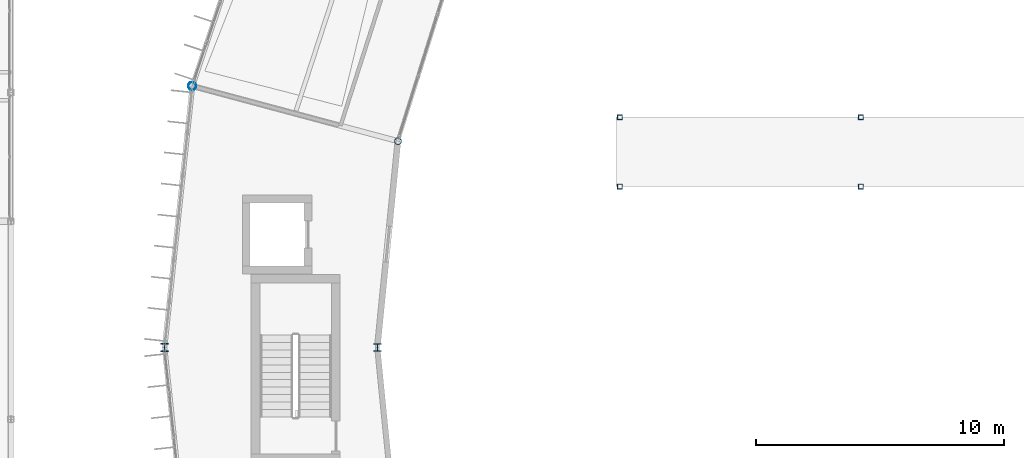
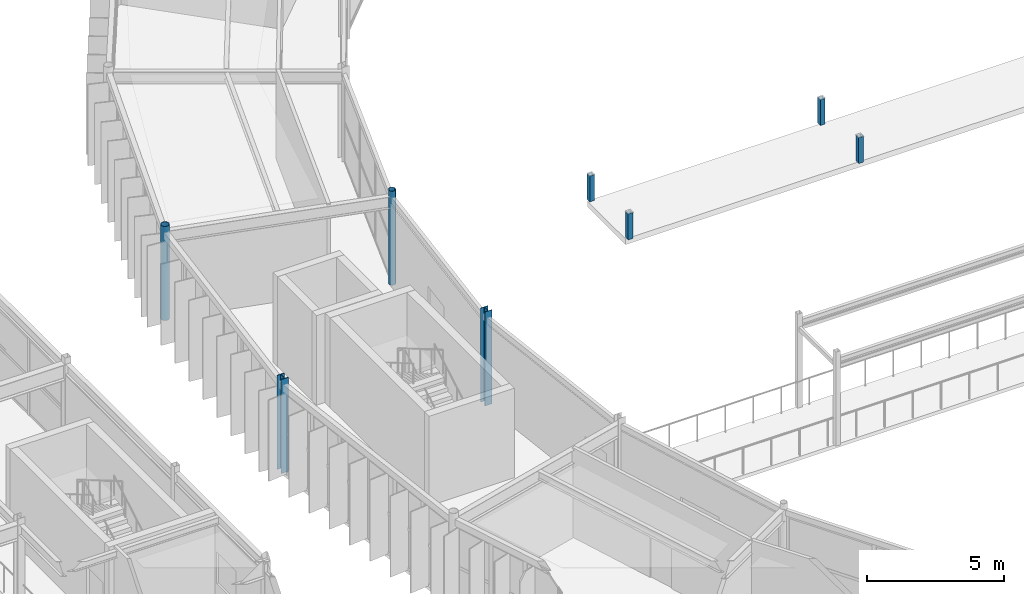
# One storey, part 6 of 147: 8 columns.
"""IFC4 building model written with IfcOpenShell, lengths in metres."""

from ifc_helpers import new_model, si_unit, direction, frame, origin, origin_2d, place, context, subcontext, project, spatial, hollow_rectangle, hollow_circle, i_section, extrude, material, material_profile, profile_set, type_object, element, save


model = new_model("IFC4")

# Units and contexts
model_context = context("Model", 3, precision=1e-05, world=origin(), true_north=direction((0.0, 1.0)))
body_context = subcontext(model_context, "Body", "Model", "MODEL_VIEW")
ifc_project = project(units=[si_unit("LENGTHUNIT", "METRE"), si_unit("AREAUNIT", "SQUARE_METRE"), si_unit("VOLUMEUNIT", "CUBIC_METRE"), si_unit("PLANEANGLEUNIT", "RADIAN"), si_unit("MASSUNIT", "GRAM", prefix="KILO")], contexts=[model_context])

# Site, building, storey
site_placement = place(None, origin())
site = spatial("IfcSite", under=ifc_project, at=site_placement, CompositionType="ELEMENT")
building_placement = place(site_placement, origin())
building = spatial("IfcBuilding", under=site, at=building_placement, Name="Karori Crest Natural Sciences Institute", CompositionType="ELEMENT")
storey_placement = place(building_placement, frame((0.0, 0.0, 9.10009765625)))
storey = spatial("IfcBuildingStorey", under=building, at=storey_placement, Name="L02", CompositionType="ELEMENT", Elevation=9.10009765625)

# Columns
ifc_material_1 = material(Name="Structural steel AS/NZS 3679.1 Grade 350", Category="steel")
ifc_material_profile_1 = material_profile(ifc_material_1, i_section(OverallWidth=0.31103515625, OverallDepth=0.326904296875, WebThickness=0.015625, FlangeThickness=0.02490234375, FilletRadius=0.01708984375, at=origin_2d()), Name="310UC158")
ifc_profile_set_1 = profile_set([ifc_material_profile_1], Name="Structural steel AS/NZS 3679.1 Grade 350")
column_type_1 = type_object("IfcColumnType", Name="CT-04", PredefinedType="COLUMN", material=ifc_profile_set_1)
column_1_placement = place(storey_placement, frame((33.39990234375, 49.89990234375, 0.0), z_axis=(0.0, 0.0, 1.0), x_axis=(1.0, 0.0, 0.0)))
element("IfcColumn", 1, at=column_1_placement, inside=storey, type_object=column_type_1, Name="Column C-0211", PredefinedType="COLUMN", context=body_context, shape_type="SweptSolid", body=[
    extrude(i_section(OverallWidth=0.31103515625, OverallDepth=0.326904296875, WebThickness=0.015625, FlangeThickness=0.02490234375, FilletRadius=0.01708984375, at=origin_2d()), origin(), (0.0, 0.0, 1.0), 4.199951171875),
])
ifc_material_profile_2 = material_profile(ifc_material_1, i_section(OverallWidth=0.306884765625, OverallDepth=0.31494140625, WebThickness=0.011962890625, FlangeThickness=0.018798828125, FilletRadius=0.01708984375, at=origin_2d()), Name="310UC118")
ifc_profile_set_2 = profile_set([ifc_material_profile_2], Name="Structural steel AS/NZS 3679.1 Grade 350")
column_type_2 = type_object("IfcColumnType", Name="CT-05", PredefinedType="COLUMN", material=ifc_profile_set_2)
column_2_placement = place(storey_placement, frame((42.0, 49.89990234375, 0.0), z_axis=(0.0, 0.0, 1.0), x_axis=(1.0, 0.0, 0.0)))
element("IfcColumn", 2, at=column_2_placement, inside=storey, type_object=column_type_2, Name="Column C-0212", PredefinedType="COLUMN", context=body_context, shape_type="SweptSolid", body=[
    extrude(i_section(OverallWidth=0.306884765625, OverallDepth=0.31494140625, WebThickness=0.011962890625, FlangeThickness=0.018798828125, FilletRadius=0.01708984375, at=origin_2d()), origin(), (0.0, 0.0, 1.0), 4.199951171875),
])
ifc_material_2 = material(Name="Hollow structural steel AS/NZS 1163 Grade C350", Category="steel")
ifc_material_profile_3 = material_profile(ifc_material_2, hollow_rectangle(XDim=0.199951171875, YDim=0.199951171875, WallThickness=0.010009765625, at=origin_2d()), Name="SHS200x200x10")
ifc_profile_set_3 = profile_set([ifc_material_profile_3], Name="Hollow structural steel AS/NZS 1163 Grade C350")
column_type_3 = type_object("IfcColumnType", Name="CT-13-EL", PredefinedType="COLUMN", material=ifc_profile_set_3)
for number, where, z_axis, x_axis, name in (
    (3, (51.7900390625, 56.39990234375, 0.0), (0.0, 0.0, 1.0), (1.0, 0.0, 0.0), "Column C-0440"),
    (4, (51.7900390625, 59.199951171875, 0.0), (0.0, 0.0, 1.0), (1.0, 0.0, 0.0), "Column C-0444"),
    (5, (61.530029296875, 56.39990234375, 0.0), (0.0, 0.0, 1.0), (1.0, 0.0, 0.0), "Column C-0448"),
    (6, (61.530029296875, 59.199951171875, 0.0), (0.0, 0.0, 1.0), (1.0, 0.0, 0.0), "Column C-0452"),
):
    element("IfcColumn", number, at=place(storey_placement, frame(where, z_axis=z_axis, x_axis=x_axis)), inside=storey, type_object=column_type_3, Name=name, PredefinedType="COLUMN", context=body_context, shape_type="SweptSolid", body=[
        extrude(hollow_rectangle(XDim=0.199951171875, YDim=0.199951171875, WallThickness=0.010009765625, at=origin_2d()), origin(), (0.0, 0.0, 1.0), 1.14990234375),
    ])
ifc_material_profile_4 = material_profile(ifc_material_2, hollow_circle(Radius=0.161865234375, WallThickness=0.0126953125, at=origin_2d()), Name="CHS323.9x12.7")
ifc_profile_set_4 = profile_set([ifc_material_profile_4], Name="Hollow structural steel AS/NZS 1163 Grade C350")
column_type_4 = type_object("IfcColumnType", Name="CT-15", PredefinedType="COLUMN", material=ifc_profile_set_4)
column_3_placement = place(storey_placement, frame((34.5244140625, 60.459716796875, 0.0), z_axis=(0.0, 0.0, 1.0), x_axis=(1.0, 0.0, 0.0)))
element("IfcColumn", 7, at=column_3_placement, inside=storey, type_object=column_type_4, Name="Column C-0195", PredefinedType="COLUMN", context=body_context, shape_type="SweptSolid", body=[
    extrude(hollow_circle(Radius=0.161865234375, WallThickness=0.0126953125, at=origin_2d()), origin(), (0.0, 0.0, 1.0), 4.199951171875),
])
ifc_material_profile_5 = material_profile(ifc_material_2, hollow_circle(Radius=0.136474609375, WallThickness=0.00927734375, at=origin_2d()), Name="CHS273.0x9.3")
ifc_profile_set_5 = profile_set([ifc_material_profile_5], Name="Hollow structural steel AS/NZS 1163 Grade C350")
column_type_5 = type_object("IfcColumnType", Name="CT-16", PredefinedType="COLUMN", material=ifc_profile_set_5)
column_4_placement = place(storey_placement, frame((42.831298828125, 58.23388671875, 0.0), z_axis=(0.0, 0.0, 1.0), x_axis=(1.0, 0.0, 0.0)))
element("IfcColumn", 8, at=column_4_placement, inside=storey, type_object=column_type_5, Name="Column C-0196", PredefinedType="COLUMN", context=body_context, shape_type="SweptSolid", body=[
    extrude(hollow_circle(Radius=0.136474609375, WallThickness=0.00927734375, at=origin_2d()), origin(), (0.0, 0.0, 1.0), 4.199951171875),
])

save(model, "model.ifc")
